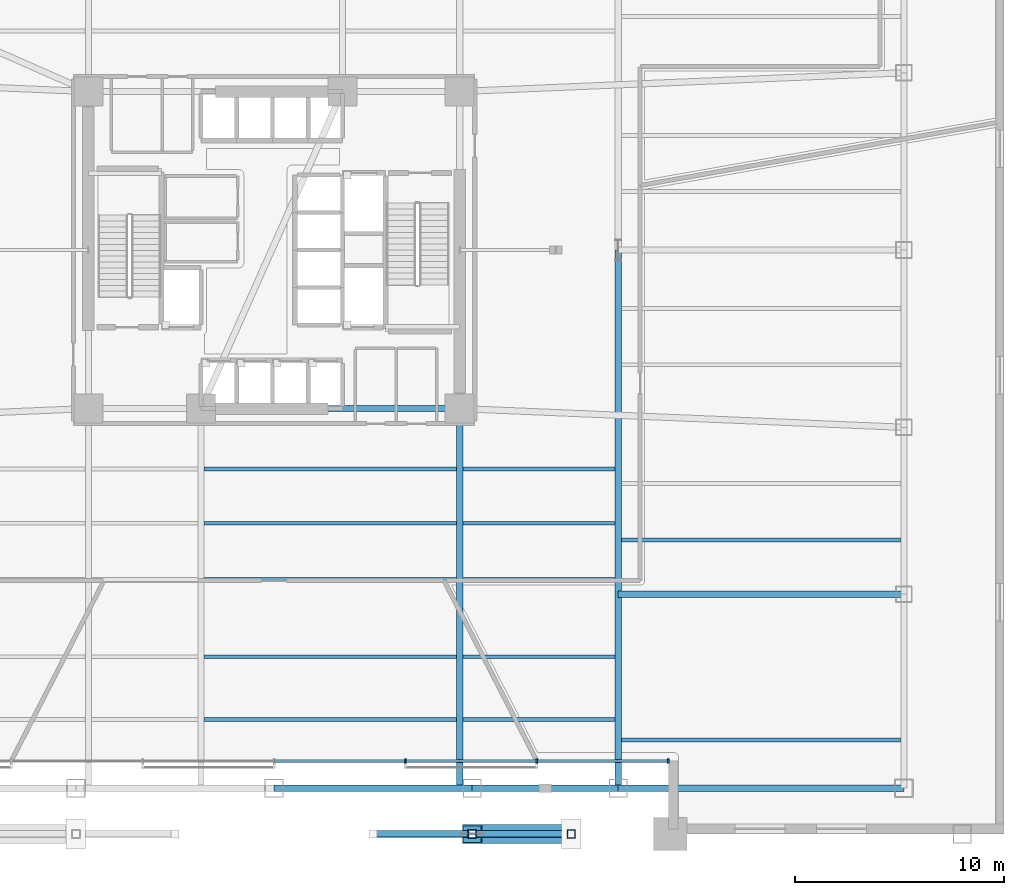
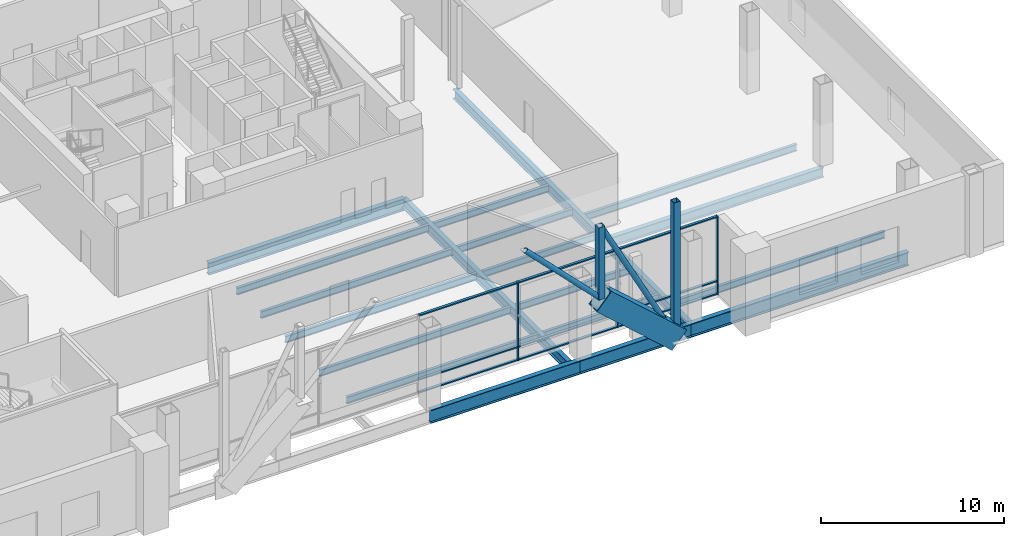
# One storey, part 4 of 16: 20 beams, 16 members, 1 element without a shape of its own.
"""IFC4 building model written with IfcOpenShell, lengths in metres."""

from ifc_helpers import new_model, si_unit, direction, frame, origin, origin_2d, place, context, subcontext, project, spatial, rectangle, hollow_rectangle, hollow_circle, i_section, extrude, material, layer, layer_set, material_profile, profile_set, type_object, element, aggregate, save


model = new_model("IFC4")

# Units and contexts
model_context = context("Model", 3, precision=1e-05, world=origin(), true_north=direction((0.0, 1.0)))
body_context = subcontext(model_context, "Body", "Model", "MODEL_VIEW")
ifc_project = project(units=[si_unit("LENGTHUNIT", "METRE"), si_unit("AREAUNIT", "SQUARE_METRE"), si_unit("VOLUMEUNIT", "CUBIC_METRE"), si_unit("PLANEANGLEUNIT", "RADIAN"), si_unit("MASSUNIT", "GRAM", prefix="KILO")], contexts=[model_context])

# Site, building, storey
site_placement = place(None, origin())
site = spatial("IfcSite", under=ifc_project, at=site_placement, CompositionType="ELEMENT")
building_placement = place(site_placement, origin())
building = spatial("IfcBuilding", under=site, at=building_placement, Name="Tharavind Bronze Gate", CompositionType="ELEMENT")
storey_placement = place(building_placement, frame((0.0, 0.0, 5.5)))
storey = spatial("IfcBuildingStorey", under=building, at=storey_placement, Name="L01", CompositionType="ELEMENT", Elevation=5.5)

# Beam
ifc_material_1 = material(Name="Steel S460", Category="steel")
ifc_material_profile_1 = material_profile(ifc_material_1, hollow_rectangle(XDim=0.89990234375, YDim=1.39990234375, WallThickness=0.054931640625, at=origin_2d()), Name="RHS1400X900X55")
ifc_profile_set_1 = profile_set([ifc_material_profile_1], Name="Steel S460")
beam_type_1 = type_object("IfcBeamType", Name="ARCH RIB GIRDER 1400X900", PredefinedType="USERDEFINED", material=ifc_profile_set_1)
beam_1_placement = place(storey_placement, frame((9.5, -28.0, 5.16259765625), z_axis=(0.746441184014, 0.0, -0.665451394774), x_axis=(0.0, 1.0, 0.0)))
element("IfcBeam", 1, at=beam_1_placement, inside=storey, type_object=beam_type_1, Name="Monumental bronze arch rib chord 7", ObjectType="GIRDER", PredefinedType="USERDEFINED", context=body_context, shape_type="SweptSolid", body=[
    extrude(hollow_rectangle(XDim=0.89990234375, YDim=1.39990234375, WallThickness=0.054931640625, at=origin_2d()), origin(), (0.0, 0.0, 1.0), 6.363525390625),
])

# Curtain wall, members
ifc_material_2 = material(Name="Anodised Bronze Aluminium", Category="aluminium")
ifc_layer = layer(ifc_material_2, 0.219970703125)
ifc_layer_set = layer_set([ifc_layer], Name="Anodised Bronze Aluminium")
curtain_wall_type = type_object("IfcCurtainWallType", Name="UNITISED CURTAIN WALL PODIUM", PredefinedType="USERDEFINED", material=ifc_layer_set)
curtain_wall_placement = place(storey_placement, origin())
curtain_wall = element("IfcCurtainWall", 2, at=curtain_wall_placement, inside=storey, type_object=curtain_wall_type, Name="L01 unitised curtain wall podium CW-L01-ARCH", ObjectType="UNITISED CURTAIN WALL", PredefinedType="USERDEFINED")
member_type_1 = type_object("IfcMemberType", Name="CURTAIN WALL MULLION 80X220", PredefinedType="MULLION", material=ifc_material_2)
member_1_placement = place(storey_placement, frame((6.300048828125, -24.5, 0.0), z_axis=(0.0, 0.0, 1.0), x_axis=(1.0, 0.0, 0.0)))
member_1 = element("IfcMember", 3, at=member_1_placement, type_object=member_type_1, Name="CW-L01-ARCH mullion 5", PredefinedType="MULLION", context=body_context, shape_type="SweptSolid", body=[
    extrude(rectangle(XDim=0.080078125, YDim=0.219970703125, at=origin_2d()), origin(), (0.0, 0.0, 1.0), 5.219970703125),
])
member_2_placement = place(storey_placement, frame((12.60009765625, -24.5, 0.0), z_axis=(0.0, 0.0, 1.0), x_axis=(1.0, 0.0, 0.0)))
member_2 = element("IfcMember", 4, at=member_2_placement, type_object=member_type_1, Name="CW-L01-ARCH mullion 6", PredefinedType="MULLION", context=body_context, shape_type="SweptSolid", body=[
    extrude(rectangle(XDim=0.080078125, YDim=0.219970703125, at=origin_2d()), origin(), (0.0, 0.0, 1.0), 5.219970703125),
])
member_3_placement = place(storey_placement, frame((18.89990234375, -24.5, 0.0), z_axis=(0.0, 0.0, 1.0), x_axis=(1.0, 0.0, 0.0)))
member_3 = element("IfcMember", 5, at=member_3_placement, type_object=member_type_1, Name="CW-L01-ARCH mullion 7", PredefinedType="MULLION", context=body_context, shape_type="SweptSolid", body=[
    extrude(rectangle(XDim=0.080078125, YDim=0.219970703125, at=origin_2d()), origin(), (0.0, 0.0, 1.0), 5.219970703125),
])
member_type_2 = type_object("IfcMemberType", Name="CURTAIN WALL TRANSOM 80X160", PredefinedType="USERDEFINED", material=ifc_material_2)
member_4_placement = place(storey_placement, frame((3.14990234375, -24.5, 0.0), z_axis=(0.0, 0.0, 1.0), x_axis=(1.0, 0.0, 0.0)))
member_4 = element("IfcMember", 6, at=member_4_placement, type_object=member_type_2, Name="CW-L01-ARCH transom TB4", ObjectType="TRANSOM", PredefinedType="USERDEFINED", context=body_context, shape_type="SweptSolid", body=[
    extrude(rectangle(XDim=6.23193359375, YDim=0.159912109375, at=origin_2d()), origin(), (0.0, 0.0, 1.0), 0.080078125),
])
member_5_placement = place(storey_placement, frame((3.14990234375, -24.5, 0.85986328125), z_axis=(0.0, 0.0, 1.0), x_axis=(1.0, 0.0, 0.0)))
member_5 = element("IfcMember", 7, at=member_5_placement, type_object=member_type_2, Name="CW-L01-ARCH transom TS4", ObjectType="TRANSOM", PredefinedType="USERDEFINED", context=body_context, shape_type="SweptSolid", body=[
    extrude(rectangle(XDim=6.23193359375, YDim=0.159912109375, at=origin_2d()), origin(), (0.0, 0.0, 1.0), 0.080078125),
])
member_6_placement = place(storey_placement, frame((3.14990234375, -24.5, 5.139892578125), z_axis=(0.0, 0.0, 1.0), x_axis=(1.0, 0.0, 0.0)))
member_6 = element("IfcMember", 8, at=member_6_placement, type_object=member_type_2, Name="CW-L01-ARCH transom TT4", ObjectType="TRANSOM", PredefinedType="USERDEFINED", context=body_context, shape_type="SweptSolid", body=[
    extrude(rectangle(XDim=6.23193359375, YDim=0.159912109375, at=origin_2d()), origin(), (0.0, 0.0, 1.0), 0.080078125),
])
member_7_placement = place(storey_placement, frame((9.449951171875, -24.5, 0.0), z_axis=(0.0, 0.0, 1.0), x_axis=(1.0, 0.0, 0.0)))
member_7 = element("IfcMember", 9, at=member_7_placement, type_object=member_type_2, Name="CW-L01-ARCH transom TB5", ObjectType="TRANSOM", PredefinedType="USERDEFINED", context=body_context, shape_type="SweptSolid", body=[
    extrude(rectangle(XDim=6.23193359375, YDim=0.159912109375, at=origin_2d()), origin(), (0.0, 0.0, 1.0), 0.080078125),
])
member_8_placement = place(storey_placement, frame((9.449951171875, -24.5, 0.85986328125), z_axis=(0.0, 0.0, 1.0), x_axis=(1.0, 0.0, 0.0)))
member_8 = element("IfcMember", 10, at=member_8_placement, type_object=member_type_2, Name="CW-L01-ARCH transom TS5", ObjectType="TRANSOM", PredefinedType="USERDEFINED", context=body_context, shape_type="SweptSolid", body=[
    extrude(rectangle(XDim=6.23193359375, YDim=0.159912109375, at=origin_2d()), origin(), (0.0, 0.0, 1.0), 0.080078125),
])
member_9_placement = place(storey_placement, frame((9.449951171875, -24.5, 5.139892578125), z_axis=(0.0, 0.0, 1.0), x_axis=(1.0, 0.0, 0.0)))
member_9 = element("IfcMember", 11, at=member_9_placement, type_object=member_type_2, Name="CW-L01-ARCH transom TT5", ObjectType="TRANSOM", PredefinedType="USERDEFINED", context=body_context, shape_type="SweptSolid", body=[
    extrude(rectangle(XDim=6.23193359375, YDim=0.159912109375, at=origin_2d()), origin(), (0.0, 0.0, 1.0), 0.080078125),
])
member_10_placement = place(storey_placement, frame((15.75, -24.5, 0.0), z_axis=(0.0, 0.0, 1.0), x_axis=(1.0, 0.0, 0.0)))
member_10 = element("IfcMember", 12, at=member_10_placement, type_object=member_type_2, Name="CW-L01-ARCH transom TB6", ObjectType="TRANSOM", PredefinedType="USERDEFINED", context=body_context, shape_type="SweptSolid", body=[
    extrude(rectangle(XDim=6.23193359375, YDim=0.159912109375, at=origin_2d()), origin(), (0.0, 0.0, 1.0), 0.080078125),
])
member_11_placement = place(storey_placement, frame((15.75, -24.5, 0.85986328125), z_axis=(0.0, 0.0, 1.0), x_axis=(1.0, 0.0, 0.0)))
member_11 = element("IfcMember", 13, at=member_11_placement, type_object=member_type_2, Name="CW-L01-ARCH transom TS6", ObjectType="TRANSOM", PredefinedType="USERDEFINED", context=body_context, shape_type="SweptSolid", body=[
    extrude(rectangle(XDim=6.23193359375, YDim=0.159912109375, at=origin_2d()), origin(), (0.0, 0.0, 1.0), 0.080078125),
])
member_12_placement = place(storey_placement, frame((15.75, -24.5, 5.139892578125), z_axis=(0.0, 0.0, 1.0), x_axis=(1.0, 0.0, 0.0)))
member_12 = element("IfcMember", 14, at=member_12_placement, type_object=member_type_2, Name="CW-L01-ARCH transom TT6", ObjectType="TRANSOM", PredefinedType="USERDEFINED", context=body_context, shape_type="SweptSolid", body=[
    extrude(rectangle(XDim=6.23193359375, YDim=0.159912109375, at=origin_2d()), origin(), (0.0, 0.0, 1.0), 0.080078125),
])
aggregate(curtain_wall, [member_1, member_2, member_3, member_4, member_5, member_6, member_7, member_8, member_9, member_10, member_11, member_12])

# Members
ifc_material_profile_2 = material_profile(ifc_material_1, hollow_rectangle(XDim=0.39990234375, YDim=0.39990234375, WallThickness=0.02490234375, at=origin_2d()), Name="SHS400X25")
ifc_profile_set_2 = profile_set([ifc_material_profile_2], Name="Steel S460")
member_type_3 = type_object("IfcMemberType", Name="OUTRIGGER VERTICAL STRUT SHS400", PredefinedType="STRUT", material=ifc_profile_set_2)
member_13_placement = place(storey_placement, frame((9.5, -28.0, 5.16259765625), z_axis=(0.0, 0.0, 1.0), x_axis=(1.0, 0.0, 0.0)))
element("IfcMember", 15, at=member_13_placement, inside=storey, type_object=member_type_3, Name="Monumental arch spandrel vertical strut 6", PredefinedType="STRUT", context=body_context, shape_type="SweptSolid", body=[
    extrude(hollow_rectangle(XDim=0.39990234375, YDim=0.39990234375, WallThickness=0.02490234375, at=origin_2d()), origin(), (0.0, 0.0, 1.0), 4.827392578125),
])
member_14_placement = place(storey_placement, frame((14.25, -28.0, 0.927978515625), z_axis=(0.0, 0.0, 1.0), x_axis=(1.0, 0.0, 0.0)))
element("IfcMember", 16, at=member_14_placement, inside=storey, type_object=member_type_3, Name="Monumental arch spandrel vertical strut 7", PredefinedType="STRUT", context=body_context, shape_type="SweptSolid", body=[
    extrude(hollow_rectangle(XDim=0.39990234375, YDim=0.39990234375, WallThickness=0.02490234375, at=origin_2d()), origin(), (0.0, 0.0, 1.0), 9.06201171875),
])
ifc_material_profile_3 = material_profile(ifc_material_1, hollow_circle(Radius=0.161865234375, WallThickness=0.01611328125, at=origin_2d()), Name="CHS323X16")
ifc_profile_set_3 = profile_set([ifc_material_profile_3], Name="Steel S460")
member_type_4 = type_object("IfcMemberType", Name="PODIUM ARCH BRACE CHS323", PredefinedType="BRACE", material=ifc_profile_set_3)
member_15_placement = place(storey_placement, frame((4.75, -28.0, 9.989990234375), z_axis=(0.701369924537, 0.0, -0.712797466996), x_axis=(0.0, 1.0, 0.0)))
element("IfcMember", 17, at=member_15_placement, inside=storey, type_object=member_type_4, Name="Monumental arch spandrel truss diagonal 6", PredefinedType="BRACE", context=body_context, shape_type="SweptSolid", body=[
    extrude(hollow_circle(Radius=0.161865234375, WallThickness=0.01611328125, at=origin_2d()), origin(), (0.0, 0.0, 1.0), 6.7724609375),
])
member_16_placement = place(storey_placement, frame((9.5, -28.0, 9.989990234375), z_axis=(0.464254850329, 0.0, -0.88570166193), x_axis=(0.0, 1.0, 0.0)))
element("IfcMember", 18, at=member_16_placement, inside=storey, type_object=member_type_4, Name="Monumental arch spandrel truss diagonal 7", PredefinedType="BRACE", context=body_context, shape_type="SweptSolid", body=[
    extrude(hollow_circle(Radius=0.161865234375, WallThickness=0.01611328125, at=origin_2d()), origin(), (0.0, 0.0, 1.0), 10.2314453125),
])

# Beams
ifc_material_3 = material(Name="Steel S355", Category="steel")
ifc_material_profile_4 = material_profile(ifc_material_3, i_section(OverallWidth=0.300048828125, OverallDepth=0.64990234375, WebThickness=0.01611328125, FlangeThickness=0.031005859375, at=origin_2d()), Name="HE650B")
ifc_profile_set_4 = profile_set([ifc_material_profile_4], Name="Steel S355")
beam_type_2 = type_object("IfcBeamType", Name="PRIMARY GIRDER HE650B", PredefinedType="USERDEFINED", material=ifc_profile_set_4)
beam_2_placement = place(storey_placement, frame((8.89990234375, -25.800048828125, -0.60498046875), z_axis=(0.0, 1.0, 0.0), x_axis=(-1.0, 0.0, 0.0)))
element("IfcBeam", 19, at=beam_2_placement, inside=storey, type_object=beam_type_2, Name="L01 primary girder he650b BM-L01-GS4", ObjectType="GIRDER", PredefinedType="USERDEFINED", context=body_context, shape_type="SweptSolid", body=[
    extrude(i_section(OverallWidth=0.300048828125, OverallDepth=0.64990234375, WebThickness=0.01611328125, FlangeThickness=0.031005859375, at=origin_2d()), origin(), (0.0, 0.0, 1.0), 18.199951171875),
])
beam_3_placement = place(storey_placement, frame((16.5, -25.800048828125, -0.60498046875), z_axis=(0.0, 1.0, 0.0), x_axis=(-1.0, 0.0, 0.0)))
element("IfcBeam", 20, at=beam_3_placement, inside=storey, type_object=beam_type_2, Name="L01 primary girder he650b BM-L01-GS5S", ObjectType="GIRDER", PredefinedType="USERDEFINED", context=body_context, shape_type="SweptSolid", body=[
    extrude(i_section(OverallWidth=0.300048828125, OverallDepth=0.64990234375, WebThickness=0.01611328125, FlangeThickness=0.031005859375, at=origin_2d()), origin(), (0.0, 0.0, 1.0), 25.800048828125),
])
beam_4_placement = place(storey_placement, frame((30.199951171875, -16.5, -0.60498046875), z_axis=(-1.0, 0.0, 0.0), x_axis=(0.0, -1.0, 0.0)))
element("IfcBeam", 21, at=beam_4_placement, inside=storey, type_object=beam_type_2, Name="L01 primary girder he650b BM-L01-GE0", ObjectType="GIRDER", PredefinedType="USERDEFINED", context=body_context, shape_type="SweptSolid", body=[
    extrude(i_section(OverallWidth=0.300048828125, OverallDepth=0.64990234375, WebThickness=0.01611328125, FlangeThickness=0.031005859375, at=origin_2d()), origin(), (0.0, 0.0, 1.0), 13.699951171875),
])
ifc_material_profile_5 = material_profile(ifc_material_3, i_section(OverallWidth=0.300048828125, OverallDepth=0.800048828125, WebThickness=0.017578125, FlangeThickness=0.032958984375, at=origin_2d()), Name="HE800B")
ifc_profile_set_5 = profile_set([ifc_material_profile_5], Name="Steel S355")
beam_type_3 = type_object("IfcBeamType", Name="RING GIRDER HE800B", PredefinedType="USERDEFINED", material=ifc_profile_set_5)
beam_5_placement = place(storey_placement, frame((-3.5, -7.60009765625, -0.679931640625), z_axis=(1.0, 0.0, 0.0), x_axis=(0.0, 1.0, 0.0)))
element("IfcBeam", 22, at=beam_5_placement, inside=storey, type_object=beam_type_3, Name="L01 ring girder he800b BM-L01-CR2", ObjectType="GIRDER", PredefinedType="USERDEFINED", context=body_context, shape_type="SweptSolid", body=[
    extrude(i_section(OverallWidth=0.300048828125, OverallDepth=0.800048828125, WebThickness=0.017578125, FlangeThickness=0.032958984375, at=origin_2d()), origin(), (0.0, 0.0, 1.0), 12.39990234375),
])
ifc_material_profile_6 = material_profile(ifc_material_3, i_section(OverallWidth=0.18994140625, OverallDepth=0.449951171875, WebThickness=0.009521484375, FlangeThickness=0.0146484375, at=origin_2d()), Name="IPE450")
ifc_profile_set_6 = profile_set([ifc_material_profile_6], Name="Steel S355")
beam_type_4 = type_object("IfcBeamType", Name="SECONDARY FLOOR JOIST IPE450", PredefinedType="JOIST", material=ifc_profile_set_6)
beam_6_placement = place(storey_placement, frame((-3.347900390625, -22.5, -0.5048828125), z_axis=(1.0, 0.0, 0.0), x_axis=(0.0, 1.0, 0.0)))
element("IfcBeam", 23, at=beam_6_placement, inside=storey, type_object=beam_type_4, Name="L01 secondary floor joist ipe450 BM-L01-JSS1B", PredefinedType="JOIST", context=body_context, shape_type="SweptSolid", body=[
    extrude(i_section(OverallWidth=0.18994140625, OverallDepth=0.449951171875, WebThickness=0.009521484375, FlangeThickness=0.0146484375, at=origin_2d()), origin(), (0.0, 0.0, 1.0), 12.095947265625),
])
beam_7_placement = place(storey_placement, frame((9.052001953125, -22.5, -0.5048828125), z_axis=(1.0, 0.0, 0.0), x_axis=(0.0, 1.0, 0.0)))
element("IfcBeam", 24, at=beam_7_placement, inside=storey, type_object=beam_type_4, Name="L01 secondary floor joist ipe450 BM-L01-JSS1E", PredefinedType="JOIST", context=body_context, shape_type="SweptSolid", body=[
    extrude(i_section(OverallWidth=0.18994140625, OverallDepth=0.449951171875, WebThickness=0.009521484375, FlangeThickness=0.0146484375, at=origin_2d()), origin(), (0.0, 0.0, 1.0), 7.2958984375),
])
beam_8_placement = place(storey_placement, frame((-3.347900390625, -19.5, -0.5048828125), z_axis=(1.0, 0.0, 0.0), x_axis=(0.0, 1.0, 0.0)))
element("IfcBeam", 25, at=beam_8_placement, inside=storey, type_object=beam_type_4, Name="L01 secondary floor joist ipe450 BM-L01-JSS2B", PredefinedType="JOIST", context=body_context, shape_type="SweptSolid", body=[
    extrude(i_section(OverallWidth=0.18994140625, OverallDepth=0.449951171875, WebThickness=0.009521484375, FlangeThickness=0.0146484375, at=origin_2d()), origin(), (0.0, 0.0, 1.0), 12.095947265625),
])
beam_9_placement = place(storey_placement, frame((9.052001953125, -19.5, -0.5048828125), z_axis=(1.0, 0.0, 0.0), x_axis=(0.0, 1.0, 0.0)))
element("IfcBeam", 26, at=beam_9_placement, inside=storey, type_object=beam_type_4, Name="L01 secondary floor joist ipe450 BM-L01-JSS2E", PredefinedType="JOIST", context=body_context, shape_type="SweptSolid", body=[
    extrude(i_section(OverallWidth=0.18994140625, OverallDepth=0.449951171875, WebThickness=0.009521484375, FlangeThickness=0.0146484375, at=origin_2d()), origin(), (0.0, 0.0, 1.0), 7.2958984375),
])
beam_10_placement = place(storey_placement, frame((-3.347900390625, -15.800048828125, -0.5048828125), z_axis=(1.0, 0.0, 0.0), x_axis=(0.0, 1.0, 0.0)))
element("IfcBeam", 27, at=beam_10_placement, inside=storey, type_object=beam_type_4, Name="L01 secondary floor joist ipe450 BM-L01-JSS3B", PredefinedType="JOIST", context=body_context, shape_type="SweptSolid", body=[
    extrude(i_section(OverallWidth=0.18994140625, OverallDepth=0.449951171875, WebThickness=0.009521484375, FlangeThickness=0.0146484375, at=origin_2d()), origin(), (0.0, 0.0, 1.0), 12.095947265625),
])
beam_11_placement = place(storey_placement, frame((9.052001953125, -15.800048828125, -0.5048828125), z_axis=(1.0, 0.0, 0.0), x_axis=(0.0, 1.0, 0.0)))
element("IfcBeam", 28, at=beam_11_placement, inside=storey, type_object=beam_type_4, Name="L01 secondary floor joist ipe450 BM-L01-JSS3E", PredefinedType="JOIST", context=body_context, shape_type="SweptSolid", body=[
    extrude(i_section(OverallWidth=0.18994140625, OverallDepth=0.449951171875, WebThickness=0.009521484375, FlangeThickness=0.0146484375, at=origin_2d()), origin(), (0.0, 0.0, 1.0), 7.2958984375),
])
beam_12_placement = place(storey_placement, frame((-3.347900390625, -13.10009765625, -0.5048828125), z_axis=(1.0, 0.0, 0.0), x_axis=(0.0, 1.0, 0.0)))
element("IfcBeam", 29, at=beam_12_placement, inside=storey, type_object=beam_type_4, Name="L01 secondary floor joist ipe450 BM-L01-JSS4B", PredefinedType="JOIST", context=body_context, shape_type="SweptSolid", body=[
    extrude(i_section(OverallWidth=0.18994140625, OverallDepth=0.449951171875, WebThickness=0.009521484375, FlangeThickness=0.0146484375, at=origin_2d()), origin(), (0.0, 0.0, 1.0), 12.095947265625),
])
beam_13_placement = place(storey_placement, frame((9.052001953125, -13.10009765625, -0.5048828125), z_axis=(1.0, 0.0, 0.0), x_axis=(0.0, 1.0, 0.0)))
element("IfcBeam", 30, at=beam_13_placement, inside=storey, type_object=beam_type_4, Name="L01 secondary floor joist ipe450 BM-L01-JSS4E", PredefinedType="JOIST", context=body_context, shape_type="SweptSolid", body=[
    extrude(i_section(OverallWidth=0.18994140625, OverallDepth=0.449951171875, WebThickness=0.009521484375, FlangeThickness=0.0146484375, at=origin_2d()), origin(), (0.0, 0.0, 1.0), 7.2958984375),
])
beam_14_placement = place(storey_placement, frame((-3.347900390625, -10.5, -0.5048828125), z_axis=(1.0, 0.0, 0.0), x_axis=(0.0, 1.0, 0.0)))
element("IfcBeam", 31, at=beam_14_placement, inside=storey, type_object=beam_type_4, Name="L01 secondary floor joist ipe450 BM-L01-JSS5B", PredefinedType="JOIST", context=body_context, shape_type="SweptSolid", body=[
    extrude(i_section(OverallWidth=0.18994140625, OverallDepth=0.449951171875, WebThickness=0.009521484375, FlangeThickness=0.0146484375, at=origin_2d()), origin(), (0.0, 0.0, 1.0), 12.095947265625),
])
beam_15_placement = place(storey_placement, frame((9.052001953125, -10.5, -0.5048828125), z_axis=(1.0, 0.0, 0.0), x_axis=(0.0, 1.0, 0.0)))
element("IfcBeam", 32, at=beam_15_placement, inside=storey, type_object=beam_type_4, Name="L01 secondary floor joist ipe450 BM-L01-JSS5E", PredefinedType="JOIST", context=body_context, shape_type="SweptSolid", body=[
    extrude(i_section(OverallWidth=0.18994140625, OverallDepth=0.449951171875, WebThickness=0.009521484375, FlangeThickness=0.0146484375, at=origin_2d()), origin(), (0.0, 0.0, 1.0), 7.2958984375),
])
for number, where, z_axis, x_axis, name in (
    (33, (16.652099609375, -23.5, -0.5048828125), (1.0, 0.0, 0.0), (0.0, 1.0, 0.0), "L01 secondary floor joist ipe450 BM-L01-JSEE1"),
    (34, (16.652099609375, -13.89990234375, -0.5048828125), (1.0, 0.0, 0.0), (0.0, 1.0, 0.0), "L01 secondary floor joist ipe450 BM-L01-JSEE2"),
):
    element("IfcBeam", number, at=place(storey_placement, frame(where, z_axis=z_axis, x_axis=x_axis)), inside=storey, type_object=beam_type_4, Name=name, PredefinedType="JOIST", context=body_context, shape_type="SweptSolid", body=[
        extrude(i_section(OverallWidth=0.18994140625, OverallDepth=0.449951171875, WebThickness=0.009521484375, FlangeThickness=0.0146484375, at=origin_2d()), origin(), (0.0, 0.0, 1.0), 13.387939453125),
    ])
ifc_material_profile_7 = material_profile(ifc_material_3, i_section(OverallWidth=0.300048828125, OverallDepth=0.89990234375, WebThickness=0.0185546875, FlangeThickness=0.034912109375, at=origin_2d()), Name="HE900B")
ifc_profile_set_7 = profile_set([ifc_material_profile_7], Name="Steel S355")
beam_type_5 = type_object("IfcBeamType", Name="SPANDREL RING BEAM HE900B", PredefinedType="SPANDREL", material=ifc_profile_set_7)
beam_16_placement = place(storey_placement, frame((0.0, -25.800048828125, -0.72998046875), z_axis=(1.0, 0.0, 0.0), x_axis=(0.0, 1.0, 0.0)))
element("IfcBeam", 35, at=beam_16_placement, inside=storey, type_object=beam_type_5, Name="L01 spandrel ring beam he900b BM-L01-PS4", PredefinedType="SPANDREL", context=body_context, shape_type="SweptSolid", body=[
    extrude(i_section(OverallWidth=0.300048828125, OverallDepth=0.89990234375, WebThickness=0.0185546875, FlangeThickness=0.034912109375, at=origin_2d()), origin(), (0.0, 0.0, 1.0), 9.5),
])
beam_17_placement = place(storey_placement, frame((9.5, -25.800048828125, -0.72998046875), z_axis=(1.0, 0.0, 0.0), x_axis=(0.0, 1.0, 0.0)))
element("IfcBeam", 36, at=beam_17_placement, inside=storey, type_object=beam_type_5, Name="L01 spandrel ring beam he900b BM-L01-PS5", PredefinedType="SPANDREL", context=body_context, shape_type="SweptSolid", body=[
    extrude(i_section(OverallWidth=0.300048828125, OverallDepth=0.89990234375, WebThickness=0.0185546875, FlangeThickness=0.034912109375, at=origin_2d()), origin(), (0.0, 0.0, 1.0), 7.0),
])
beam_18_placement = place(storey_placement, frame((16.5, -25.800048828125, -0.72998046875), z_axis=(1.0, 0.0, 0.0), x_axis=(0.0, 1.0, 0.0)))
element("IfcBeam", 37, at=beam_18_placement, inside=storey, type_object=beam_type_5, Name="L01 spandrel ring beam he900b BM-L01-PS6", PredefinedType="SPANDREL", context=body_context, shape_type="SweptSolid", body=[
    extrude(i_section(OverallWidth=0.300048828125, OverallDepth=0.89990234375, WebThickness=0.0185546875, FlangeThickness=0.034912109375, at=origin_2d()), origin(), (0.0, 0.0, 1.0), 13.699951171875),
])

save(model, "model.ifc")
